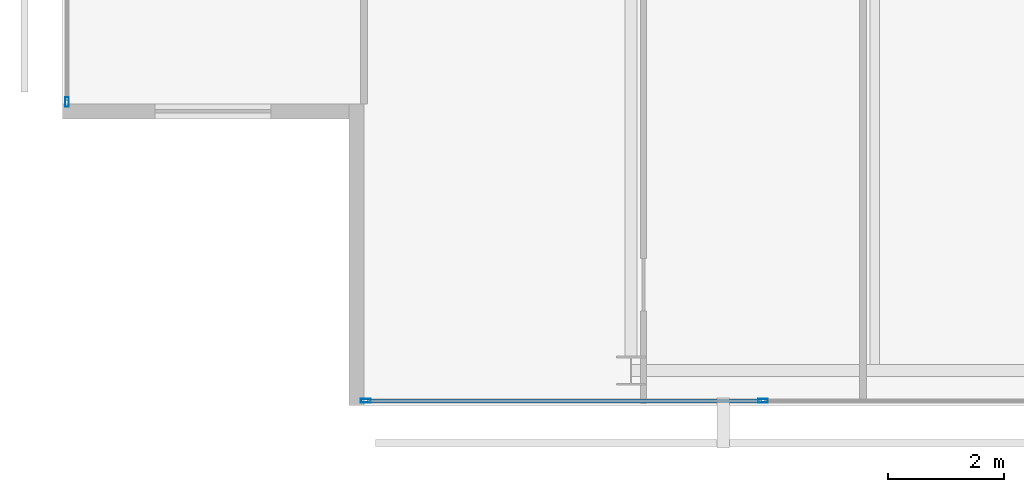
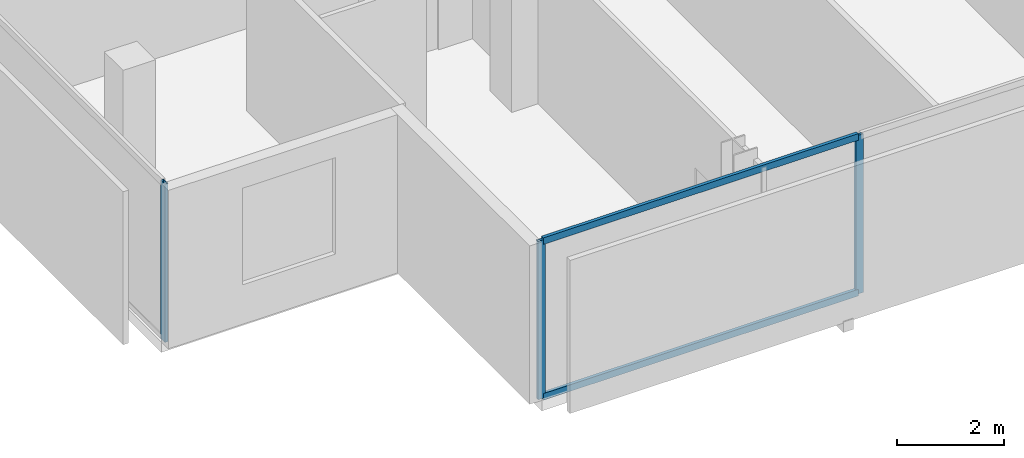
# One storey, part 2 of 25: 5 members, 2 elements without a shape of their own.
"""IFC4 building model written with IfcOpenShell, lengths in metres."""

import ifcopenshell
import ifcopenshell.guid

model = None  # the IFC model being written
_history = None  # IfcOwnerHistory: only IFC2X3 demands one
_inside = {}  # id of a spatial element -> (the spatial element, [elements in it])
_under = {}  # id of a project, library or spatial element -> (it, [spatial elements below it])
_declared = {}  # id of a project -> (the project, [libraries it declares])
_typed = {}  # id of a type object -> (the type object, [elements of that type])
_made_of = {}  # id of a material, layer set ... -> (it, [elements and type objects made of it])


def new_model(schema):
    """Start an empty IFC model of exactly this schema.

    Asked for "IFC4X3", IfcOpenShell would pick the latest addendum, in which some entities
    have other attributes; the version numbers below select the first issue.
    IFC2X3 requires an IfcOwnerHistory on every rooted entity: one is made here for all.
    """
    global model, _history
    if schema == "IFC4X3":
        model = ifcopenshell.file(schema_version=(4, 3, 0, 0))
    else:
        model = ifcopenshell.file(schema=schema)
    _inside.clear()
    _under.clear()
    _declared.clear()
    _typed.clear()
    _made_of.clear()
    _history = None
    if model.schema == "IFC2X3":
        org = make("IfcOrganization", Name="unknown")
        user = make(
            "IfcPersonAndOrganization",
            ThePerson=make("IfcPerson", FamilyName="unknown"),
            TheOrganization=org,
        )
        app = make(
            "IfcApplication",
            ApplicationDeveloper=org,
            Version="unknown",
            ApplicationFullName="unknown",
            ApplicationIdentifier="unknown",
        )
        _history = make(
            "IfcOwnerHistory",
            OwningUser=user,
            OwningApplication=app,
            ChangeAction="ADDED",
            CreationDate=0,
        )
    return model


def make(cls, **values):
    """One entity of the class cls with the attributes given. An attribute that is None is left unset."""
    return model.create_entity(
        cls, **{name: value for name, value in values.items() if value is not None}
    )


def rooted(cls, **values):
    """An entity with a GlobalId (a new one), such as an element, a storey or a relation."""
    return make(cls, GlobalId=ifcopenshell.guid.new(), OwnerHistory=_history, **values)


def si_unit(unit_type, name, prefix=None):
    """IfcSIUnit, for example si_unit("LENGTHUNIT", "METRE", prefix="MILLI")."""
    return make("IfcSIUnit", UnitType=unit_type, Prefix=prefix, Name=name)


def assignment(units):
    """IfcUnitAssignment: the units of a project."""
    return None if units is None else make("IfcUnitAssignment", Units=units)


def point(xyz):
    """IfcCartesianPoint."""
    return None if xyz is None else make("IfcCartesianPoint", Coordinates=xyz)


def direction(xyz):
    """IfcDirection."""
    return None if xyz is None else make("IfcDirection", DirectionRatios=xyz)


def frame(location, z_axis=None, x_axis=None):
    """IfcAxis2Placement3D, a coordinate frame: its origin and axes. An axis left out is left unset."""
    return make(
        "IfcAxis2Placement3D",
        Location=point(location),
        Axis=direction(z_axis),
        RefDirection=direction(x_axis),
    )


def frame_2d(location, x_axis=None):
    """IfcAxis2Placement2D, a coordinate frame in the plane: its origin and x axis."""
    return make(
        "IfcAxis2Placement2D", Location=point(location), RefDirection=direction(x_axis)
    )


def origin():
    """The frame at (0, 0, 0) with its axes left unset."""
    return frame((0.0, 0.0, 0.0))


def origin_2d():
    """The frame at (0, 0) in the plane with its x axis left unset."""
    return frame_2d((0.0, 0.0))


def place(relative_to, where):
    """IfcLocalPlacement: puts the frame where relative to a parent placement (None: the world)."""
    return make(
        "IfcLocalPlacement", PlacementRelTo=relative_to, RelativePlacement=where
    )


def context(
    kind, dimensions, precision=None, world=None, true_north=None, identifier=None
):
    """IfcGeometricRepresentationContext, for example the 3D "Model" context."""
    return make(
        "IfcGeometricRepresentationContext",
        ContextIdentifier=identifier,
        ContextType=kind,
        CoordinateSpaceDimension=dimensions,
        Precision=precision,
        WorldCoordinateSystem=world,
        TrueNorth=true_north,
    )


def subcontext(parent, identifier, kind, view, scale=None):
    """IfcGeometricRepresentationSubContext, for example "Body" below "Model"."""
    return make(
        "IfcGeometricRepresentationSubContext",
        ContextIdentifier=identifier,
        ContextType=kind,
        ParentContext=parent,
        TargetScale=scale,
        TargetView=view,
    )


def project(units=None, contexts=None):
    """IfcProject with its units and contexts."""
    return rooted(
        "IfcProject",
        Name="project",
        RepresentationContexts=contexts,
        UnitsInContext=assignment(units),
    )


def spatial(cls, under=None, at=None, **own):
    """A site, building, storey or space (cls), placed at a placement, below another one or the project."""
    s = rooted(cls, ObjectPlacement=at, **own)
    if under is not None:
        _under.setdefault(under.id(), (under, []))[1].append(s)
    return s


def profile(cls, at=None, kind="AREA", **sizes):
    """A parametric profile (cls). Its sizes go by their IFC names, for example OverallWidth=200.0."""
    return make(cls, ProfileType=kind, Position=at, **sizes)


def hollow_rectangle(**sizes):
    """IfcRectangleHollowProfileDef."""
    return profile("IfcRectangleHollowProfileDef", **sizes)


def extrude(swept, where, along, depth):
    """IfcExtrudedAreaSolid: the profile swept, set in the frame where, extruded along a direction by depth."""
    return make(
        "IfcExtrudedAreaSolid",
        SweptArea=swept,
        Position=where,
        ExtrudedDirection=direction(along),
        Depth=depth,
    )


def shape(context_of_items, identifier, shape_type, items):
    """IfcShapeRepresentation: the items that make up one representation, for example the "Body"."""
    return make(
        "IfcShapeRepresentation",
        ContextOfItems=context_of_items,
        RepresentationIdentifier=identifier,
        RepresentationType=shape_type,
        Items=items,
    )


def material(Name=None, Category=None):
    """IfcMaterial."""
    return make("IfcMaterial", Name=Name, Category=Category)


def layer(
    of_material, thickness, ventilated=None, Name=None, Category=None, Priority=None
):
    """IfcMaterialLayer: one layer of a wall or slab, of a material (None: an air gap)."""
    return make(
        "IfcMaterialLayer",
        Material=of_material,
        LayerThickness=thickness,
        IsVentilated=ventilated,
        Name=Name,
        Category=Category,
        Priority=Priority,
    )


def layer_set(layers, Name=None):
    """IfcMaterialLayerSet."""
    return make("IfcMaterialLayerSet", MaterialLayers=layers, LayerSetName=Name)


def material_profile(
    of_material, cross_section, Name=None, Category=None, Priority=None
):
    """IfcMaterialProfile: a cross section and its material."""
    return make(
        "IfcMaterialProfile",
        Name=Name,
        Material=of_material,
        Profile=cross_section,
        Priority=Priority,
        Category=Category,
    )


def profile_set(profiles, Name=None, composite=None):
    """IfcMaterialProfileSet."""
    return make(
        "IfcMaterialProfileSet",
        Name=Name,
        MaterialProfiles=profiles,
        CompositeProfile=composite,
    )


def made_of(thing, what):
    """Note that an element or type object is made of a material, layer set ...; save() writes the relation."""
    if what is not None:
        _made_of.setdefault(what.id(), (what, []))[1].append(thing)
    return thing


def type_object(cls, material=None, **own):
    """A type object (cls), such as IfcWallType, which elements share."""
    return made_of(rooted(cls, **own), material)


def element(
    cls,
    number,
    at=None,
    inside=None,
    cuts=None,
    type_object=None,
    material=None,
    context=None,
    identifier="Body",
    shape_type=None,
    held_by="IfcProductDefinitionShape",
    body=None,
    shapes=None,
    **own,
):
    """One element of the class cls, such as IfcWall. Its Tag is "e" and its number.

    at: its placement. inside: the storey or other place that contains it. cuts: it is an
    opening in that element (IfcRelVoidsElement). A single representation is given by context,
    identifier, shape_type and body (its items); several are given by shapes. held_by: the class
    of the entity that holds the representations. save() writes the other relations.
    """
    e = rooted(cls, Tag="e%d" % number, ObjectPlacement=at, **own)
    if body is not None:
        shapes = [shape(context, identifier, shape_type, body)]
    if shapes is not None:
        e.Representation = make(held_by, Representations=shapes)
    if inside is not None:
        _inside.setdefault(inside.id(), (inside, []))[1].append(e)
    if cuts is not None:
        rooted(
            "IfcRelVoidsElement", RelatingBuildingElement=cuts, RelatedOpeningElement=e
        )
    if type_object is not None:
        _typed.setdefault(type_object.id(), (type_object, []))[1].append(e)
    return made_of(e, material)


def aggregate(whole, parts):
    """IfcRelAggregates: a whole, such as a stair, and the parts it consists of."""
    return rooted("IfcRelAggregates", RelatingObject=whole, RelatedObjects=parts)


def save(model, path):
    """Write the relations noted so far, then the file.

    IfcRelAggregates (storeys below a building ...), IfcRelContainedInSpatialStructure (elements
    in a storey), IfcRelDefinesByType, IfcRelAssociatesMaterial and IfcRelDeclares: one each for
    every whole, place, type object, material and project.
    """
    for whole, parts in _under.values():
        aggregate(whole, parts)
    for where, things in _inside.values():
        rooted(
            "IfcRelContainedInSpatialStructure",
            RelatedElements=things,
            RelatingStructure=where,
        )
    for kind, things in _typed.values():
        rooted("IfcRelDefinesByType", RelatedObjects=things, RelatingType=kind)
    for what, things in _made_of.values():
        rooted("IfcRelAssociatesMaterial", RelatedObjects=things, RelatingMaterial=what)
    for by, libraries in _declared.values():
        rooted("IfcRelDeclares", RelatingContext=by, RelatedDefinitions=libraries)
    model.write(path)


model = new_model("IFC4")

# Units and contexts
model_context = context("Model", 3, precision=1e-05, world=origin(), true_north=direction((0.0, 1.0)))
body_context = subcontext(model_context, "Body", "Model", "MODEL_VIEW")
ifc_project = project(units=[si_unit("LENGTHUNIT", "METRE"), si_unit("AREAUNIT", "SQUARE_METRE"), si_unit("VOLUMEUNIT", "CUBIC_METRE"), si_unit("PLANEANGLEUNIT", "RADIAN"), si_unit("MASSUNIT", "GRAM", prefix="KILO")], contexts=[model_context])

# Site, building, storey
site_placement = place(None, origin())
site = spatial("IfcSite", under=ifc_project, at=site_placement, CompositionType="ELEMENT")
building_placement = place(site_placement, origin())
building = spatial("IfcBuilding", under=site, at=building_placement, Name="Maruvema Waterfront Hotel and Observation Tower", CompositionType="ELEMENT")
storey_placement = place(building_placement, frame((0.0, 0.0, 250.949951171875)))
storey = spatial("IfcBuildingStorey", under=building, at=storey_placement, Name="L61", CompositionType="ELEMENT", Elevation=250.949951171875)

# Curtain wall, members
ifc_material_1 = material(Name="Anodised bronze aluminium and solar-control low-E IGU", Category="aluminium")
ifc_layer = layer(ifc_material_1, 0.159912109375, Name="Zone 3 Champagne Inner Thermal Curtain Wall System CW-04")
ifc_layer_set = layer_set([ifc_layer], Name="Anodised bronze aluminium and solar-control low-E IGU")
curtain_wall_type = type_object("IfcCurtainWallType", Name="Zone 3 Champagne Inner Thermal Curtain Wall System CW-04", PredefinedType="USERDEFINED", material=ifc_layer_set)
curtain_wall_1_placement = place(storey_placement, origin())
curtain_wall_1 = element("IfcCurtainWall", 1, at=curtain_wall_1_placement, inside=storey, type_object=curtain_wall_type, Name="L61 Curtain Wall CW-L61-S", ObjectType="UNITISED CURTAIN WALL", PredefinedType="USERDEFINED")
ifc_material_2 = material(Name="Anodised architectural bronze aluminium", Category="aluminium")
ifc_material_profile_1 = material_profile(ifc_material_2, hollow_rectangle(XDim=0.070068359375, YDim=0.14990234375, WallThickness=0.00390625, at=origin_2d()), Name="ALU-T70x150")
ifc_profile_set_1 = profile_set([ifc_material_profile_1], Name="Anodised architectural bronze aluminium")
member_type_1 = type_object("IfcMemberType", Name="Curtain Wall Horizontal Transom ALU-T70x150", PredefinedType="USERDEFINED", material=ifc_profile_set_1)
member_1_placement = place(storey_placement, frame((20.659912109375, 9.280029296875, 0.030029296875), z_axis=(1.0, 0.0, 0.0), x_axis=(0.0, 1.0, 0.0)))
member_1 = element("IfcMember", 2, at=member_1_placement, type_object=member_type_1, Name="CW-04 transom 1.1", ObjectType="TRANSOM", PredefinedType="USERDEFINED", context=body_context, shape_type="SweptSolid", body=[
    extrude(hollow_rectangle(XDim=0.070068359375, YDim=0.14990234375, WallThickness=0.00390625, at=origin_2d()), origin(), (0.0, 0.0, 1.0), 6.7900390625),
])
member_2_placement = place(storey_placement, frame((20.659912109375, 9.280029296875, 3.580078125), z_axis=(1.0, 0.0, 0.0), x_axis=(0.0, 1.0, 0.0)))
member_2 = element("IfcMember", 3, at=member_2_placement, type_object=member_type_1, Name="CW-04 transom 1.2", ObjectType="TRANSOM", PredefinedType="USERDEFINED", context=body_context, shape_type="SweptSolid", body=[
    extrude(hollow_rectangle(XDim=0.070068359375, YDim=0.14990234375, WallThickness=0.00390625, at=origin_2d()), origin(), (0.0, 0.0, 1.0), 6.7900390625),
])
ifc_material_3 = material(Name="Anodised architectural bronze aluminium", Category="aluminium")
ifc_material_profile_2 = material_profile(ifc_material_3, hollow_rectangle(XDim=0.06494140625, YDim=0.1650390625, WallThickness=0.00390625, at=origin_2d()), Name="ALU-M65x165")
ifc_profile_set_2 = profile_set([ifc_material_profile_2], Name="Anodised architectural bronze aluminium")
member_type_2 = type_object("IfcMemberType", Name="Curtain Wall Primary Mullion ALU-M65x165", PredefinedType="MULLION", material=ifc_profile_set_2)
member_3_placement = place(storey_placement, frame((20.6298828125, 9.280029296875, 0.0), z_axis=(0.0, 0.0, 1.0), x_axis=(0.0, 1.0, 0.0)))
member_3 = element("IfcMember", 4, at=member_3_placement, type_object=member_type_2, Name="CW-04 mullion 1", PredefinedType="MULLION", context=body_context, shape_type="SweptSolid", body=[
    extrude(hollow_rectangle(XDim=0.06494140625, YDim=0.1650390625, WallThickness=0.00390625, at=origin_2d()), origin(), (0.0, 0.0, 1.0), 3.610107421875),
])
member_4_placement = place(storey_placement, frame((27.47998046875, 9.280029296875, 0.0), z_axis=(0.0, 0.0, 1.0), x_axis=(0.0, 1.0, 0.0)))
member_4 = element("IfcMember", 5, at=member_4_placement, type_object=member_type_2, Name="CW-04 mullion 2", PredefinedType="MULLION", context=body_context, shape_type="SweptSolid", body=[
    extrude(hollow_rectangle(XDim=0.06494140625, YDim=0.1650390625, WallThickness=0.00390625, at=origin_2d()), origin(), (0.0, 0.0, 1.0), 3.610107421875),
])
aggregate(curtain_wall_1, [member_3, member_4, member_1, member_2])

# Curtain wall, member
curtain_wall_2_placement = place(storey_placement, origin())
curtain_wall_2 = element("IfcCurtainWall", 6, at=curtain_wall_2_placement, inside=storey, type_object=curtain_wall_type, Name="L61 Curtain Wall CW-L61-W", ObjectType="UNITISED CURTAIN WALL", PredefinedType="USERDEFINED")
member_5_placement = place(storey_placement, frame((15.47998046875, 14.429931640625, 0.0), z_axis=(0.0, 0.0, 1.0), x_axis=(1.0, 0.0, 0.0)))
member_5 = element("IfcMember", 7, at=member_5_placement, type_object=member_type_2, Name="CW-04 mullion 6", PredefinedType="MULLION", context=body_context, shape_type="SweptSolid", body=[
    extrude(hollow_rectangle(XDim=0.06494140625, YDim=0.1650390625, WallThickness=0.00390625, at=origin_2d()), origin(), (0.0, 0.0, 1.0), 3.610107421875),
])
aggregate(curtain_wall_2, [member_5])

save(model, "model.ifc")
